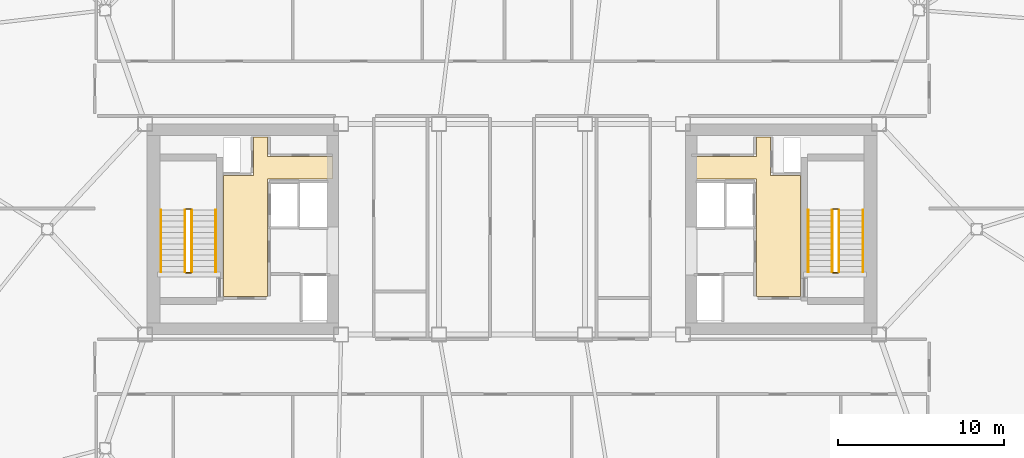
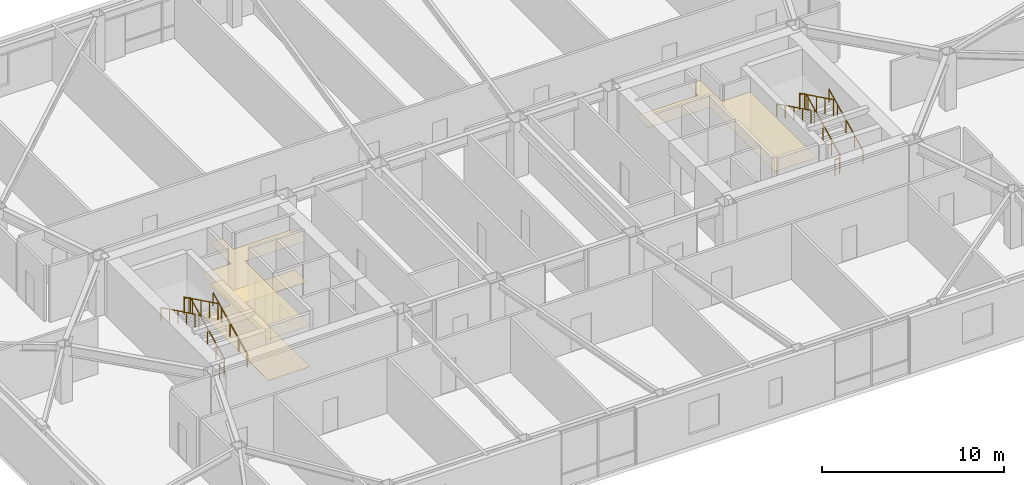
# One storey, part 18 of 18: 12 railings, 3 coverings.
"""IFC4 building model written with IfcOpenShell, lengths in metres."""

from ifc_helpers import new_model, si_unit, direction, frame, origin, origin_2d, place, context, subcontext, project, spatial, polyline, rectangle, outline, extrude, material, layer, layer_set, type_object, element, save


model = new_model("IFC4")

# Units and contexts
model_context = context("Model", 3, precision=1e-05, world=origin(), true_north=direction((0.0, 1.0)))
body_context = subcontext(model_context, "Body", "Model", "MODEL_VIEW")
ifc_project = project(units=[si_unit("LENGTHUNIT", "METRE"), si_unit("AREAUNIT", "SQUARE_METRE"), si_unit("VOLUMEUNIT", "CUBIC_METRE"), si_unit("PLANEANGLEUNIT", "RADIAN"), si_unit("MASSUNIT", "GRAM", prefix="KILO")], contexts=[model_context])

# Site, building, storey
site_placement = place(None, origin())
site = spatial("IfcSite", under=ifc_project, at=site_placement, CompositionType="ELEMENT")
building_placement = place(site_placement, origin())
building = spatial("IfcBuilding", under=site, at=building_placement, Name="Tavrogorsk Clinical Tower", CompositionType="ELEMENT")
storey_placement = place(building_placement, frame((0.0, 0.0, 200.199951171875)))
storey = spatial("IfcBuildingStorey", under=building, at=storey_placement, Name="L46", CompositionType="ELEMENT", Elevation=200.199951171875)

# Coverings
ifc_material_1 = material(Name="Antibacterial micro-perforated aluminium ceiling", Category="aluminium")
ifc_layer_1 = layer(ifc_material_1, 0.014892578125)
ifc_layer_set_1 = layer_set([ifc_layer_1], Name="Antibacterial micro-perforated aluminium ceiling")
covering_type_1 = type_object("IfcCoveringType", Name="ClinicalCeiling_15", PredefinedType="CEILING", material=ifc_layer_set_1)
covering_1_placement = place(storey_placement, frame((0.0, 0.0, 2.75)))
element("IfcCovering", 1, at=covering_1_placement, inside=storey, type_object=covering_type_1, Name="Core West Firefighting Lift Lobby Acoustic Ceiling", PredefinedType="CEILING", context=body_context, shape_type="SweptSolid", body=[
    extrude(outline(polyline([(-14.719970703125, 4.3798828125), (-10.800048828125, 4.3798828125), (-10.800048828125, 3.0400390625), (-14.719970703125, 3.0400390625), (-14.719970703125, -4.06005859375), (-17.3798828125, -4.06005859375), (-17.3798828125, 3.239990234375), (-15.56005859375, 3.239990234375), (-15.56005859375, 5.56005859375), (-14.719970703125, 5.56005859375), (-14.719970703125, 4.3798828125)])), origin(), (0.0, 0.0, 1.0), 0.01513671875),
])
covering_2_placement = place(storey_placement, frame((0.0, 0.0, 2.75)))
element("IfcCovering", 2, at=covering_2_placement, inside=storey, type_object=covering_type_1, Name="Core East Firefighting Lift Lobby Acoustic Ceiling", PredefinedType="CEILING", context=body_context, shape_type="SweptSolid", body=[
    extrude(outline(polyline([(14.719970703125, -4.06005859375), (14.719970703125, 3.0400390625), (10.800048828125, 3.0400390625), (10.800048828125, 4.3798828125), (14.719970703125, 4.3798828125), (14.719970703125, 5.56005859375), (15.56005859375, 5.56005859375), (15.56005859375, 3.239990234375), (17.3798828125, 3.239990234375), (17.3798828125, -4.06005859375), (14.719970703125, -4.06005859375)])), origin(), (0.0, 0.0, 1.0), 0.01513671875),
])
ifc_material_2 = material(Name="Homogeneous medical conductive PVC flooring")
ifc_layer_2 = layer(ifc_material_2, 0.008056640625)
ifc_layer_set_2 = layer_set([ifc_layer_2], Name="Homogeneous medical conductive PVC flooring")
covering_type_2 = type_object("IfcCoveringType", Name="ResilientVinylFloor_8", PredefinedType="FLOORING", material=ifc_layer_set_2)
covering_3_placement = place(storey_placement, origin())
element("IfcCovering", 3, at=covering_3_placement, inside=storey, type_object=covering_type_2, Name="Core West Firefighting Lift Lobby Conductive Vinyl Flooring", PredefinedType="FLOORING", context=body_context, shape_type="SweptSolid", body=[
    extrude(outline(polyline([(-14.719970703125, 4.3798828125), (-10.800048828125, 4.3798828125), (-10.800048828125, 3.0400390625), (-14.719970703125, 3.0400390625), (-14.719970703125, -4.06005859375), (-17.3798828125, -4.06005859375), (-17.3798828125, 3.239990234375), (-15.56005859375, 3.239990234375), (-15.56005859375, 5.56005859375), (-14.719970703125, 5.56005859375), (-14.719970703125, 4.3798828125)])), origin(), (0.0, 0.0, 1.0), 0.008056640625),
])

# Railings
ifc_material_3 = material(Name="Galvanised steel S355 safety stairwell guard", Category="steel")
ifc_layer_3 = layer(ifc_material_3, 0.06005859375)
ifc_layer_set_3 = layer_set([ifc_layer_3], Name="Galvanised steel S355 safety stairwell guard")
railing_type_1 = type_object("IfcRailingType", Name="StairGuard_1150", PredefinedType="GUARDRAIL", material=ifc_layer_set_3)
railing_1_placement = place(storey_placement, frame((-19.300048828125, -2.574951171875, 0.166748046875)))
element("IfcRailing", 4, at=railing_1_placement, inside=storey, type_object=railing_type_1, Name="L46 ST-W stair guard 1", PredefinedType="GUARDRAIL", context=body_context, shape_type="SweptSolid", body=[
    extrude(rectangle(XDim=0.048095703125, YDim=0.048095703125, at=origin_2d()), frame((0.0, 0.0, 1.076171875), z_axis=(0.0, 0.897927990467, 0.440142390523), x_axis=(-1.0, 0.0, 0.0)), (0.0, 0.0, 1.0), 4.1650390625),
    extrude(rectangle(XDim=0.0419921875, YDim=0.0419921875, at=origin_2d()), origin(), (0.0, 0.0, 1.0), 1.052001953125),
    extrude(rectangle(XDim=0.0419921875, YDim=0.0419921875, at=origin_2d()), frame((0.0, 0.93505859375, 0.458251953125)), (0.0, 0.0, 1.0), 1.052001953125),
    extrude(rectangle(XDim=0.0419921875, YDim=0.0419921875, at=origin_2d()), frame((0.0, 1.8701171875, 0.91650390625)), (0.0, 0.0, 1.0), 1.052001953125),
    extrude(rectangle(XDim=0.0419921875, YDim=0.0419921875, at=origin_2d()), frame((0.0, 2.804931640625, 1.375)), (0.0, 0.0, 1.0), 1.052001953125),
    extrude(rectangle(XDim=0.0419921875, YDim=0.0419921875, at=origin_2d()), frame((0.0, 3.739990234375, 1.833251953125)), (0.0, 0.0, 1.0), 1.052001953125),
])
railing_2_placement = place(storey_placement, frame((-19.35009765625, 1.215087890625, 2.0)))
element("IfcRailing", 5, at=railing_2_placement, inside=storey, type_object=railing_type_1, Name="L46 ST-W stair guard 2", PredefinedType="GUARDRAIL", context=body_context, shape_type="SweptSolid", body=[
    extrude(rectangle(XDim=0.048095703125, YDim=0.048095703125, at=origin_2d()), frame((0.0, 0.0, 1.076171875), z_axis=(-1.0, 0.0, 0.0), x_axis=(0.0, -1.0, 0.0)), (0.0, 0.0, 1.0), 0.2998046875),
    extrude(rectangle(XDim=0.0419921875, YDim=0.0419921875, at=origin_2d()), origin(), (0.0, 0.0, 1.0), 1.052001953125),
    extrude(rectangle(XDim=0.0419921875, YDim=0.0419921875, at=origin_2d()), frame((-0.2998046875, 0.0, 0.0)), (0.0, 0.0, 1.0), 1.052001953125),
])
railing_3_placement = place(storey_placement, frame((-19.699951171875, 1.1650390625, 2.166748046875)))
element("IfcRailing", 6, at=railing_3_placement, inside=storey, type_object=railing_type_1, Name="L46 ST-W stair guard 3", PredefinedType="GUARDRAIL", context=body_context, shape_type="SweptSolid", body=[
    extrude(rectangle(XDim=0.048095703125, YDim=0.048095703125, at=origin_2d()), frame((0.0, 0.0, 1.076171875), z_axis=(0.0, -0.897927990467, 0.440142390523), x_axis=(1.0, 0.0, 0.0)), (0.0, 0.0, 1.0), 4.1650390625),
    extrude(rectangle(XDim=0.0419921875, YDim=0.0419921875, at=origin_2d()), origin(), (0.0, 0.0, 1.0), 1.052001953125),
    extrude(rectangle(XDim=0.0419921875, YDim=0.0419921875, at=origin_2d()), frame((0.0, -0.93505859375, 0.458251953125)), (0.0, 0.0, 1.0), 1.052001953125),
    extrude(rectangle(XDim=0.0419921875, YDim=0.0419921875, at=origin_2d()), frame((0.0, -1.8701171875, 0.91650390625)), (0.0, 0.0, 1.0), 1.052001953125),
    extrude(rectangle(XDim=0.0419921875, YDim=0.0419921875, at=origin_2d()), frame((0.0, -2.804931640625, 1.375)), (0.0, 0.0, 1.0), 1.052001953125),
    extrude(rectangle(XDim=0.0419921875, YDim=0.0419921875, at=origin_2d()), frame((0.0, -3.739990234375, 1.833251953125)), (0.0, 0.0, 1.0), 1.052001953125),
])
railing_4_placement = place(storey_placement, frame((-19.35009765625, -2.625, 0.0)))
element("IfcRailing", 7, at=railing_4_placement, inside=storey, type_object=railing_type_1, Name="L46 ST-W stair guard 4", PredefinedType="GUARDRAIL", context=body_context, shape_type="SweptSolid", body=[
    extrude(rectangle(XDim=0.048095703125, YDim=0.048095703125, at=origin_2d()), frame((0.0, 0.0, 1.076171875), z_axis=(-1.0, 0.0, 0.0), x_axis=(0.0, -1.0, 0.0)), (0.0, 0.0, 1.0), 0.2998046875),
    extrude(rectangle(XDim=0.0419921875, YDim=0.0419921875, at=origin_2d()), origin(), (0.0, 0.0, 1.0), 1.052001953125),
    extrude(rectangle(XDim=0.0419921875, YDim=0.0419921875, at=origin_2d()), frame((-0.2998046875, 0.0, 0.0)), (0.0, 0.0, 1.0), 1.052001953125),
])
railing_5_placement = place(storey_placement, frame((19.699951171875, -2.574951171875, 0.166748046875)))
element("IfcRailing", 8, at=railing_5_placement, inside=storey, type_object=railing_type_1, Name="L46 ST-E stair guard 1", PredefinedType="GUARDRAIL", context=body_context, shape_type="SweptSolid", body=[
    extrude(rectangle(XDim=0.048095703125, YDim=0.048095703125, at=origin_2d()), frame((0.0, 0.0, 1.076171875), z_axis=(0.0, 0.897927990467, 0.440142390523), x_axis=(-1.0, 0.0, 0.0)), (0.0, 0.0, 1.0), 4.1650390625),
    extrude(rectangle(XDim=0.0419921875, YDim=0.0419921875, at=origin_2d()), origin(), (0.0, 0.0, 1.0), 1.052001953125),
    extrude(rectangle(XDim=0.0419921875, YDim=0.0419921875, at=origin_2d()), frame((0.0, 0.93505859375, 0.458251953125)), (0.0, 0.0, 1.0), 1.052001953125),
    extrude(rectangle(XDim=0.0419921875, YDim=0.0419921875, at=origin_2d()), frame((0.0, 1.8701171875, 0.91650390625)), (0.0, 0.0, 1.0), 1.052001953125),
    extrude(rectangle(XDim=0.0419921875, YDim=0.0419921875, at=origin_2d()), frame((0.0, 2.804931640625, 1.375)), (0.0, 0.0, 1.0), 1.052001953125),
    extrude(rectangle(XDim=0.0419921875, YDim=0.0419921875, at=origin_2d()), frame((0.0, 3.739990234375, 1.833251953125)), (0.0, 0.0, 1.0), 1.052001953125),
])
railing_6_placement = place(storey_placement, frame((19.64990234375, 1.215087890625, 2.0)))
element("IfcRailing", 9, at=railing_6_placement, inside=storey, type_object=railing_type_1, Name="L46 ST-E stair guard 2", PredefinedType="GUARDRAIL", context=body_context, shape_type="SweptSolid", body=[
    extrude(rectangle(XDim=0.048095703125, YDim=0.048095703125, at=origin_2d()), frame((0.0, 0.0, 1.076171875), z_axis=(-1.0, 0.0, 0.0), x_axis=(0.0, -1.0, 0.0)), (0.0, 0.0, 1.0), 0.2998046875),
    extrude(rectangle(XDim=0.0419921875, YDim=0.0419921875, at=origin_2d()), origin(), (0.0, 0.0, 1.0), 1.052001953125),
    extrude(rectangle(XDim=0.0419921875, YDim=0.0419921875, at=origin_2d()), frame((-0.2998046875, 0.0, 0.0)), (0.0, 0.0, 1.0), 1.052001953125),
])
railing_7_placement = place(storey_placement, frame((19.300048828125, 1.1650390625, 2.166748046875)))
element("IfcRailing", 10, at=railing_7_placement, inside=storey, type_object=railing_type_1, Name="L46 ST-E stair guard 3", PredefinedType="GUARDRAIL", context=body_context, shape_type="SweptSolid", body=[
    extrude(rectangle(XDim=0.048095703125, YDim=0.048095703125, at=origin_2d()), frame((0.0, 0.0, 1.076171875), z_axis=(0.0, -0.897927990467, 0.440142390523), x_axis=(1.0, 0.0, 0.0)), (0.0, 0.0, 1.0), 4.1650390625),
    extrude(rectangle(XDim=0.0419921875, YDim=0.0419921875, at=origin_2d()), origin(), (0.0, 0.0, 1.0), 1.052001953125),
    extrude(rectangle(XDim=0.0419921875, YDim=0.0419921875, at=origin_2d()), frame((0.0, -0.93505859375, 0.458251953125)), (0.0, 0.0, 1.0), 1.052001953125),
    extrude(rectangle(XDim=0.0419921875, YDim=0.0419921875, at=origin_2d()), frame((0.0, -1.8701171875, 0.91650390625)), (0.0, 0.0, 1.0), 1.052001953125),
    extrude(rectangle(XDim=0.0419921875, YDim=0.0419921875, at=origin_2d()), frame((0.0, -2.804931640625, 1.375)), (0.0, 0.0, 1.0), 1.052001953125),
    extrude(rectangle(XDim=0.0419921875, YDim=0.0419921875, at=origin_2d()), frame((0.0, -3.739990234375, 1.833251953125)), (0.0, 0.0, 1.0), 1.052001953125),
])
railing_8_placement = place(storey_placement, frame((19.64990234375, -2.625, 0.0)))
element("IfcRailing", 11, at=railing_8_placement, inside=storey, type_object=railing_type_1, Name="L46 ST-E stair guard 4", PredefinedType="GUARDRAIL", context=body_context, shape_type="SweptSolid", body=[
    extrude(rectangle(XDim=0.048095703125, YDim=0.048095703125, at=origin_2d()), frame((0.0, 0.0, 1.076171875), z_axis=(-1.0, 0.0, 0.0), x_axis=(0.0, -1.0, 0.0)), (0.0, 0.0, 1.0), 0.2998046875),
    extrude(rectangle(XDim=0.0419921875, YDim=0.0419921875, at=origin_2d()), origin(), (0.0, 0.0, 1.0), 1.052001953125),
    extrude(rectangle(XDim=0.0419921875, YDim=0.0419921875, at=origin_2d()), frame((-0.2998046875, 0.0, 0.0)), (0.0, 0.0, 1.0), 1.052001953125),
])
ifc_material_4 = material(Name="Stainless steel AISI 304 tubular handrail", Category="steel")
ifc_layer_4 = layer(ifc_material_4, 0.050048828125)
ifc_layer_set_4 = layer_set([ifc_layer_4], Name="Stainless steel AISI 304 tubular handrail")
railing_type_2 = type_object("IfcRailingType", Name="StairHandrail_920", PredefinedType="HANDRAIL", material=ifc_layer_set_4)
railing_9_placement = place(storey_placement, frame((-17.85009765625, -2.574951171875, 0.166748046875)))
element("IfcRailing", 12, at=railing_9_placement, inside=storey, type_object=railing_type_2, Name="L46 ST-W stair handrail 1", PredefinedType="HANDRAIL", context=body_context, shape_type="SweptSolid", body=[
    extrude(rectangle(XDim=0.048095703125, YDim=0.048095703125, at=origin_2d()), frame((0.0, 0.0, 0.8759765625), z_axis=(0.0, 0.897927990467, 0.440142390523), x_axis=(-1.0, 0.0, 0.0)), (0.0, 0.0, 1.0), 4.1650390625),
    extrude(rectangle(XDim=0.0419921875, YDim=0.0419921875, at=origin_2d()), origin(), (0.0, 0.0, 1.0), 0.851806640625),
    extrude(rectangle(XDim=0.0419921875, YDim=0.0419921875, at=origin_2d()), frame((0.0, 0.93505859375, 0.458251953125)), (0.0, 0.0, 1.0), 0.851806640625),
    extrude(rectangle(XDim=0.0419921875, YDim=0.0419921875, at=origin_2d()), frame((0.0, 1.8701171875, 0.91650390625)), (0.0, 0.0, 1.0), 0.851806640625),
    extrude(rectangle(XDim=0.0419921875, YDim=0.0419921875, at=origin_2d()), frame((0.0, 2.804931640625, 1.375)), (0.0, 0.0, 1.0), 0.851806640625),
    extrude(rectangle(XDim=0.0419921875, YDim=0.0419921875, at=origin_2d()), frame((0.0, 3.739990234375, 1.833251953125)), (0.0, 0.0, 1.0), 0.851806640625),
])
railing_10_placement = place(storey_placement, frame((-21.14990234375, 1.1650390625, 2.166748046875)))
element("IfcRailing", 13, at=railing_10_placement, inside=storey, type_object=railing_type_2, Name="L46 ST-W stair handrail 2", PredefinedType="HANDRAIL", context=body_context, shape_type="SweptSolid", body=[
    extrude(rectangle(XDim=0.048095703125, YDim=0.048095703125, at=origin_2d()), frame((0.0, 0.0, 0.8759765625), z_axis=(0.0, -0.897927990467, 0.440142390523), x_axis=(1.0, 0.0, 0.0)), (0.0, 0.0, 1.0), 4.1650390625),
    extrude(rectangle(XDim=0.0419921875, YDim=0.0419921875, at=origin_2d()), origin(), (0.0, 0.0, 1.0), 0.851806640625),
    extrude(rectangle(XDim=0.0419921875, YDim=0.0419921875, at=origin_2d()), frame((0.0, -0.93505859375, 0.458251953125)), (0.0, 0.0, 1.0), 0.851806640625),
    extrude(rectangle(XDim=0.0419921875, YDim=0.0419921875, at=origin_2d()), frame((0.0, -1.8701171875, 0.91650390625)), (0.0, 0.0, 1.0), 0.851806640625),
    extrude(rectangle(XDim=0.0419921875, YDim=0.0419921875, at=origin_2d()), frame((0.0, -2.804931640625, 1.375)), (0.0, 0.0, 1.0), 0.851806640625),
    extrude(rectangle(XDim=0.0419921875, YDim=0.0419921875, at=origin_2d()), frame((0.0, -3.739990234375, 1.833251953125)), (0.0, 0.0, 1.0), 0.851806640625),
])
railing_11_placement = place(storey_placement, frame((21.14990234375, -2.574951171875, 0.166748046875)))
element("IfcRailing", 14, at=railing_11_placement, inside=storey, type_object=railing_type_2, Name="L46 ST-E stair handrail 1", PredefinedType="HANDRAIL", context=body_context, shape_type="SweptSolid", body=[
    extrude(rectangle(XDim=0.048095703125, YDim=0.048095703125, at=origin_2d()), frame((0.0, 0.0, 0.8759765625), z_axis=(0.0, 0.897927990467, 0.440142390523), x_axis=(-1.0, 0.0, 0.0)), (0.0, 0.0, 1.0), 4.1650390625),
    extrude(rectangle(XDim=0.0419921875, YDim=0.0419921875, at=origin_2d()), origin(), (0.0, 0.0, 1.0), 0.851806640625),
    extrude(rectangle(XDim=0.0419921875, YDim=0.0419921875, at=origin_2d()), frame((0.0, 0.93505859375, 0.458251953125)), (0.0, 0.0, 1.0), 0.851806640625),
    extrude(rectangle(XDim=0.0419921875, YDim=0.0419921875, at=origin_2d()), frame((0.0, 1.8701171875, 0.91650390625)), (0.0, 0.0, 1.0), 0.851806640625),
    extrude(rectangle(XDim=0.0419921875, YDim=0.0419921875, at=origin_2d()), frame((0.0, 2.804931640625, 1.375)), (0.0, 0.0, 1.0), 0.851806640625),
    extrude(rectangle(XDim=0.0419921875, YDim=0.0419921875, at=origin_2d()), frame((0.0, 3.739990234375, 1.833251953125)), (0.0, 0.0, 1.0), 0.851806640625),
])
railing_12_placement = place(storey_placement, frame((17.85009765625, 1.1650390625, 2.166748046875)))
element("IfcRailing", 15, at=railing_12_placement, inside=storey, type_object=railing_type_2, Name="L46 ST-E stair handrail 2", PredefinedType="HANDRAIL", context=body_context, shape_type="SweptSolid", body=[
    extrude(rectangle(XDim=0.048095703125, YDim=0.048095703125, at=origin_2d()), frame((0.0, 0.0, 0.8759765625), z_axis=(0.0, -0.897927990467, 0.440142390523), x_axis=(1.0, 0.0, 0.0)), (0.0, 0.0, 1.0), 4.1650390625),
    extrude(rectangle(XDim=0.0419921875, YDim=0.0419921875, at=origin_2d()), origin(), (0.0, 0.0, 1.0), 0.851806640625),
    extrude(rectangle(XDim=0.0419921875, YDim=0.0419921875, at=origin_2d()), frame((0.0, -0.93505859375, 0.458251953125)), (0.0, 0.0, 1.0), 0.851806640625),
    extrude(rectangle(XDim=0.0419921875, YDim=0.0419921875, at=origin_2d()), frame((0.0, -1.8701171875, 0.91650390625)), (0.0, 0.0, 1.0), 0.851806640625),
    extrude(rectangle(XDim=0.0419921875, YDim=0.0419921875, at=origin_2d()), frame((0.0, -2.804931640625, 1.375)), (0.0, 0.0, 1.0), 0.851806640625),
    extrude(rectangle(XDim=0.0419921875, YDim=0.0419921875, at=origin_2d()), frame((0.0, -3.739990234375, 1.833251953125)), (0.0, 0.0, 1.0), 0.851806640625),
])

save(model, "model.ifc")
